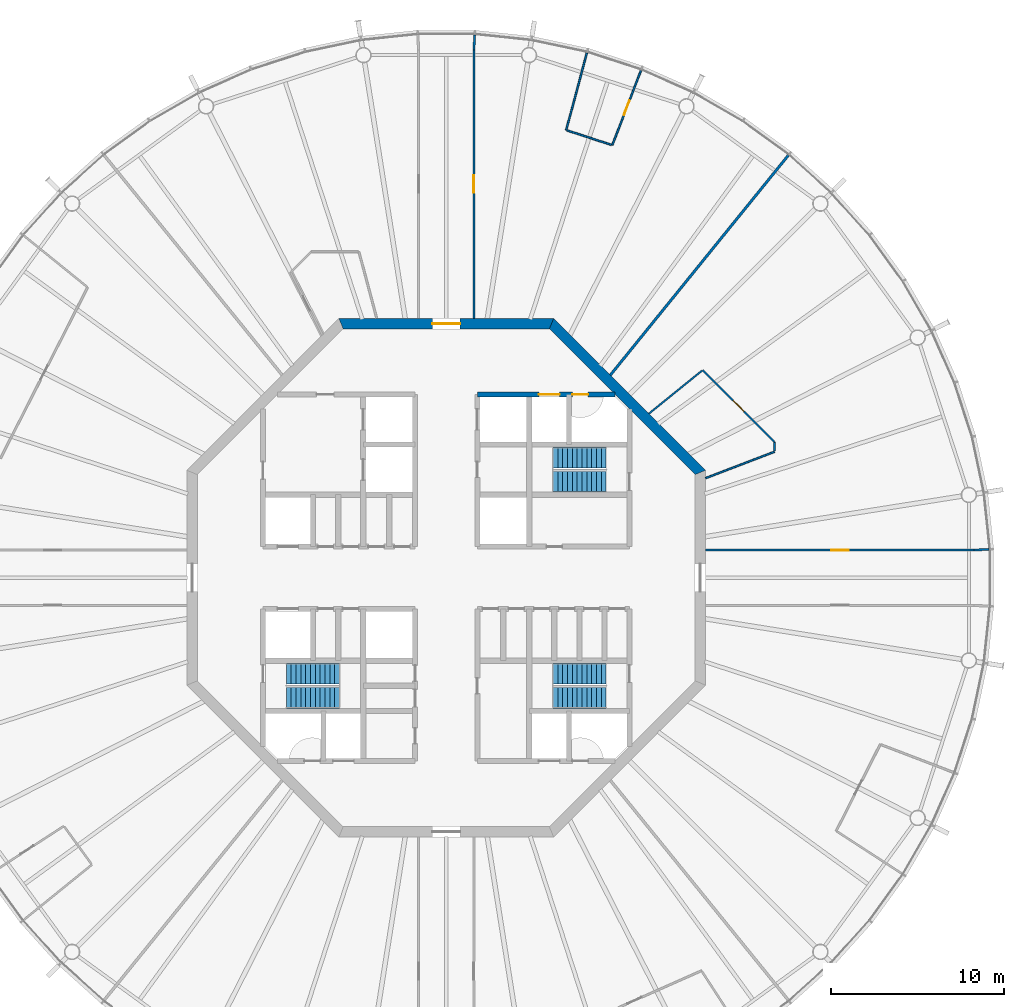
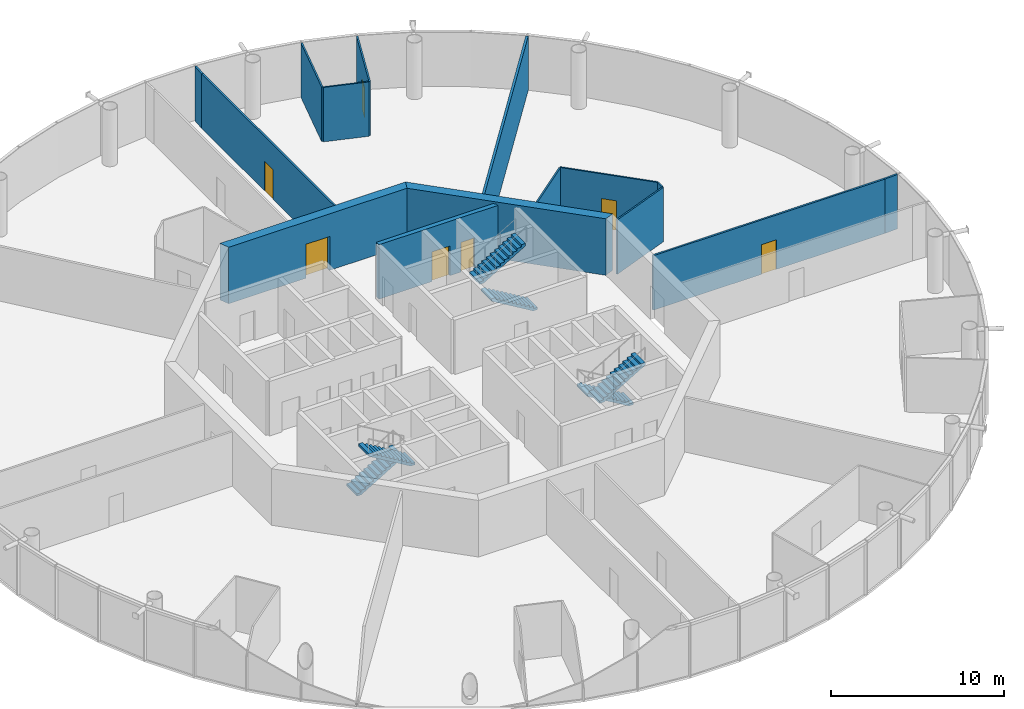
# One storey, part 6 of 18: 15 walls, 7 doors, 6 stair flights, 7 openings, 3 elements without a shape of their own.
"""IFC4 building model written with IfcOpenShell, lengths in metres."""

from ifc_helpers import new_model, si_unit, direction, frame, frame_2d, origin, place, context, subcontext, project, spatial, polyline, rectangle, outline, extrude, material, layer, layer_set, type_object, element, fill, aggregate, save


model = new_model("IFC4")

# Units and contexts
model_context = context("Model", 3, precision=1e-05, world=origin(), true_north=direction((0.0, 1.0)))
body_context = subcontext(model_context, "Body", "Model", "MODEL_VIEW")
ifc_project = project(units=[si_unit("LENGTHUNIT", "METRE"), si_unit("AREAUNIT", "SQUARE_METRE"), si_unit("VOLUMEUNIT", "CUBIC_METRE"), si_unit("PLANEANGLEUNIT", "RADIAN"), si_unit("MASSUNIT", "GRAM", prefix="KILO")], contexts=[model_context])

# Site, building, storey
site_placement = place(None, origin())
site = spatial("IfcSite", under=ifc_project, at=site_placement, CompositionType="ELEMENT")
building_placement = place(site_placement, origin())
building = spatial("IfcBuilding", under=site, at=building_placement, Name="Entoto Ring Tower", CompositionType="ELEMENT")
storey_placement = place(building_placement, frame((0.0, 0.0, 388.0)))
storey = spatial("IfcBuildingStorey", under=building, at=storey_placement, Name="L90", CompositionType="ELEMENT", Elevation=388.0)

# Wall, openings, doors
ifc_material_1 = material(Name="Concrete C40/50", Category="concrete")
ifc_layer_1 = layer(ifc_material_1, 0.300048828125)
ifc_layer_set_1 = layer_set([ifc_layer_1], Name="Concrete C40/50")
wall_type_1 = type_object("IfcWallType", Name="Core enclosure wall 300 mm reinforced concrete", PredefinedType="SOLIDWALL", material=ifc_layer_set_1)
wall_1_placement = place(storey_placement, frame((91.800048828125, 90.60009765625, 0.0), z_axis=(0.0, 0.0, 1.0), x_axis=(1.0, 0.0, 0.0)))
wall_1 = element("IfcWall", 1, at=wall_1_placement, inside=storey, type_object=wall_type_1, Name="wall-L90-041", PredefinedType="SOLIDWALL", context=body_context, shape_type="SweptSolid", body=[
    extrude(rectangle(XDim=7.964599609375, YDim=0.300048828125, at=frame_2d((3.982421875, 0.0))), origin(), (0.0, 0.0, 1.0), 3.85009765625),
])
opening_1_placement = place(wall_1_placement, frame((3.550048828125, 0.0, 0.0)))
opening_1 = element("IfcOpeningElement", 2, at=opening_1_placement, cuts=wall_1, Name="Opening LD", PredefinedType="OPENING", context=body_context, shape_type="SweptSolid", body=[
    extrude(rectangle(XDim=1.199951171875, YDim=2.10009765625, at=frame_2d((0.60009765625, 1.050048828125))), frame((0.0, 0.16015625, 0.0), z_axis=(0.0, -1.0, 0.0), x_axis=(1.0, 0.0, 0.0)), (0.0, 0.0, 1.0), 0.320068359375),
])
opening_2_placement = place(wall_1_placement, frame((5.5, 0.0, 0.0)))
opening_2 = element("IfcOpeningElement", 3, at=opening_2_placement, cuts=wall_1, Name="Opening K-32", PredefinedType="OPENING", context=body_context, shape_type="SweptSolid", body=[
    extrude(rectangle(XDim=0.89990234375, YDim=2.10009765625, at=frame_2d((0.449951171875, 1.050048828125))), frame((0.0, 0.16015625, 0.0), z_axis=(0.0, -1.0, 0.0), x_axis=(1.0, 0.0, 0.0)), (0.0, 0.0, 1.0), 0.320068359375),
])
ifc_material_2 = material(Name="Steel and glass door leaf", Category="steel")
ifc_layer_2 = layer(ifc_material_2, 0.050048828125)
ifc_layer_set_2 = layer_set([ifc_layer_2], Name="Steel and glass door leaf")
door_type_1 = type_object("IfcDoorType", Name="Landing door 1200 x 2100 sliding", OperationType="DOUBLE_DOOR_SLIDING", PredefinedType="DOOR", material=ifc_layer_set_2)
door_1_placement = place(opening_1_placement, origin())
door_1 = element("IfcDoor", 4, at=door_1_placement, inside=storey, type_object=door_type_1, Name="Landing door LB1-HR", OperationType="SLIDING_TO_RIGHT", OverallHeight=2.10009765625, OverallWidth=1.199951171875, PredefinedType="DOOR", context=body_context, shape_type="SweptSolid", body=[
    extrude(rectangle(XDim=1.199951171875, YDim=2.10009765625, at=frame_2d((0.60009765625, 1.050048828125))), frame((0.0, 0.02490234375, 0.0), z_axis=(0.0, -1.0, 0.0), x_axis=(1.0, 0.0, 0.0)), (0.0, 0.0, 1.0), 0.050048828125),
])
fill(opening_1, door_1)
ifc_material_3 = material(Name="Steel door leaf, fire rated", Category="steel")
ifc_layer_3 = layer(ifc_material_3, 0.050048828125)
ifc_layer_set_3 = layer_set([ifc_layer_3], Name="Steel door leaf, fire rated")
door_type_2 = type_object("IfcDoorType", Name="Riser door FD60 900 x 2100 single leaf", OperationType="NOTDEFINED", PredefinedType="DOOR", material=ifc_layer_set_3)
door_2_placement = place(opening_2_placement, frame((0.89990234375, 0.0, 0.0), z_axis=(0.0, 0.0, 1.0), x_axis=(-1.0, 0.0, 0.0)))
door_2 = element("IfcDoor", 5, at=door_2_placement, inside=storey, type_object=door_type_2, Name="Door K-32", OperationType="SINGLE_SWING_RIGHT", OverallHeight=2.10009765625, OverallWidth=0.89990234375, PredefinedType="DOOR", context=body_context, shape_type="SweptSolid", body=[
    extrude(rectangle(XDim=0.89990234375, YDim=2.10009765625, at=frame_2d((0.449951171875, 1.050048828125))), frame((0.0, 0.02490234375, 0.0), z_axis=(0.0, -1.0, 0.0), x_axis=(1.0, 0.0, 0.0)), (0.0, 0.0, 1.0), 0.050048828125),
])
fill(opening_2, door_2)

# Wall
ifc_material_4 = material(Name="Concrete C40/50", Category="concrete")
ifc_layer_4 = layer(ifc_material_4, 0.60009765625)
ifc_layer_set_4 = layer_set([ifc_layer_4], Name="Concrete C40/50")
wall_type_2 = type_object("IfcWallType", Name="Core shear wall 600 mm reinforced concrete C40/50", PredefinedType="SHEAR", material=ifc_layer_set_4)
wall_2_placement = place(storey_placement, frame((104.699951171875, 86.0888671875, 0.0), z_axis=(0.0, 0.0, 1.0), x_axis=(-0.707106781187, 0.707106781187, 0.0)))
element("IfcWall", 6, at=wall_2_placement, inside=storey, type_object=wall_type_2, Name="wall-L90-core-1", PredefinedType="SHEAR", context=body_context, shape_type="SweptSolid", body=[
    extrude(outline(polyline([(-0.124267578125, -0.300048828125), (12.30224609375, -0.300048828125), (12.0537109375, 0.300048828125), (0.124267578125, 0.300048828125), (-0.124267578125, -0.300048828125)])), origin(), (0.0, 0.0, 1.0), 4.0),
])

# Wall, opening, door
wall_3_placement = place(storey_placement, frame((96.0888671875, 94.699951171875, 0.0), z_axis=(0.0, 0.0, 1.0), x_axis=(-1.0, 0.0, 0.0)))
wall_3 = element("IfcWall", 7, at=wall_3_placement, inside=storey, type_object=wall_type_2, Name="wall-L90-core-2", PredefinedType="SHEAR", context=body_context, shape_type="SweptSolid", body=[
    extrude(outline(polyline([(-0.124267578125, -0.300048828125), (12.302001953125, -0.300048828125), (12.053466796875, 0.300048828125), (0.124267578125, 0.300048828125), (-0.124267578125, -0.300048828125)])), origin(), (0.0, 0.0, 1.0), 4.0),
])
opening_3_placement = place(wall_3_placement, frame((5.288818359375, 0.0, 0.0)))
opening_3 = element("IfcOpeningElement", 8, at=opening_3_placement, cuts=wall_3, Name="Opening K-02", PredefinedType="OPENING", context=body_context, shape_type="SweptSolid", body=[
    extrude(rectangle(XDim=1.60009765625, YDim=2.39990234375, at=frame_2d((0.800048828125, 1.199951171875))), frame((0.0, 0.31005859375, 0.0), z_axis=(0.0, -1.0, 0.0), x_axis=(1.0, 0.0, 0.0)), (0.0, 0.0, 1.0), 0.6201171875),
])
ifc_material_5 = material(Name="Steel door leaf, fire rated", Category="steel")
ifc_layer_5 = layer(ifc_material_5, 0.050048828125)
ifc_layer_set_5 = layer_set([ifc_layer_5], Name="Steel door leaf, fire rated")
door_type_3 = type_object("IfcDoorType", Name="Entrance door FD60 1600 x 2400 double leaf", OperationType="DOUBLE_DOOR_SINGLE_SWING", PredefinedType="DOOR", material=ifc_layer_set_5)
door_3_placement = place(opening_3_placement, origin())
door_3 = element("IfcDoor", 9, at=door_3_placement, inside=storey, type_object=door_type_3, Name="Entrance door K-02", OperationType="DOUBLE_DOOR_SINGLE_SWING", OverallHeight=2.39990234375, OverallWidth=1.60009765625, PredefinedType="DOOR", context=body_context, shape_type="SweptSolid", body=[
    extrude(rectangle(XDim=1.60009765625, YDim=2.39990234375, at=frame_2d((0.800048828125, 1.199951171875))), frame((0.0, 0.02490234375, 0.0), z_axis=(0.0, -1.0, 0.0), x_axis=(1.0, 0.0, 0.0)), (0.0, 0.0, 1.0), 0.050048828125),
])
fill(opening_3, door_3)

ifc_material_6 = material(Name="Fire-resisting plasterboard on steel studs", Category="steel")
ifc_layer_6 = layer(ifc_material_6, 0.125)
ifc_layer_set_6 = layer_set([ifc_layer_6], Name="Fire-resisting plasterboard on steel studs")
wall_type_3 = type_object("IfcWallType", Name="Corridor wall 125 mm one-hour plasterboard on steel studs", PredefinedType="PARTITIONING", material=ifc_layer_set_6)
wall_4_placement = place(storey_placement, frame((91.60009765625, 95.0, 0.0), z_axis=(0.0, 0.0, 1.0), x_axis=(0.0, 1.0, 0.0)))
wall_4 = element("IfcWall", 10, at=wall_4_placement, inside=storey, type_object=wall_type_3, Name="partition-L90-006", PredefinedType="PARTITIONING", context=body_context, shape_type="SweptSolid", body=[
    extrude(rectangle(XDim=15.52978515625, YDim=0.125, at=frame_2d((7.764892578125, 0.0))), origin(), (0.0, 0.0, 1.0), 3.85009765625),
])
opening_4_placement = place(wall_4_placement, frame((7.264892578125, 0.0, 0.0)))
opening_4 = element("IfcOpeningElement", 11, at=opening_4_placement, cuts=wall_4, Name="Opening A38-D03", PredefinedType="OPENING", context=body_context, shape_type="SweptSolid", body=[
    extrude(rectangle(XDim=1.0, YDim=2.10009765625, at=frame_2d((0.5, 1.050048828125))), frame((0.0, 0.072509765625, 0.0), z_axis=(0.0, -1.0, 0.0), x_axis=(1.0, 0.0, 0.0)), (0.0, 0.0, 1.0), 0.14501953125),
])
ifc_material_7 = material(Name="Fire-resisting timber door set", Category="wood")
door_type_4 = type_object("IfcDoorType", Name="Door 1000 x 2100 single leaf FD30S fire door", OperationType="NOTDEFINED", PredefinedType="DOOR", material=ifc_material_7)
door_4_placement = place(opening_4_placement, frame((1.0, 0.0, 0.0), z_axis=(0.0, 0.0, 1.0), x_axis=(-1.0, 0.0, 0.0)))
door_4 = element("IfcDoor", 12, at=door_4_placement, inside=storey, type_object=door_type_4, Name="Door A38-D03", OperationType="SINGLE_SWING_RIGHT", OverallHeight=2.10009765625, OverallWidth=1.0, PredefinedType="DOOR", context=body_context, shape_type="SweptSolid", body=[
    extrude(rectangle(XDim=1.0, YDim=2.10009765625, at=frame_2d((0.5, 1.050048828125))), frame((0.0, 0.02490234375, 0.0), z_axis=(0.0, -1.0, 0.0), x_axis=(1.0, 0.0, 0.0)), (0.0, 0.0, 1.0), 0.050048828125),
])
fill(opening_4, door_4)

wall_5_placement = place(storey_placement, frame((105.0, 81.60009765625, 0.0), z_axis=(0.0, 0.0, 1.0), x_axis=(1.0, 0.0, 0.0)))
wall_5 = element("IfcWall", 13, at=wall_5_placement, inside=storey, type_object=wall_type_3, Name="partition-L90-008", PredefinedType="PARTITIONING", context=body_context, shape_type="SweptSolid", body=[
    extrude(rectangle(XDim=15.52978515625, YDim=0.125, at=frame_2d((7.764892578125, 0.0))), origin(), (0.0, 0.0, 1.0), 3.85009765625),
])
opening_5_placement = place(wall_5_placement, frame((7.264892578125, 0.0, 0.0)))
opening_5 = element("IfcOpeningElement", 14, at=opening_5_placement, cuts=wall_5, Name="Opening A38-D01", PredefinedType="OPENING", context=body_context, shape_type="SweptSolid", body=[
    extrude(rectangle(XDim=1.0, YDim=2.10009765625, at=frame_2d((0.5, 1.050048828125))), frame((0.0, 0.072509765625, 0.0), z_axis=(0.0, -1.0, 0.0), x_axis=(1.0, 0.0, 0.0)), (0.0, 0.0, 1.0), 0.14501953125),
])
door_5_placement = place(opening_5_placement, origin())
door_5 = element("IfcDoor", 15, at=door_5_placement, inside=storey, type_object=door_type_4, Name="Door A38-D01", OperationType="SINGLE_SWING_LEFT", OverallHeight=2.10009765625, OverallWidth=1.0, PredefinedType="DOOR", context=body_context, shape_type="SweptSolid", body=[
    extrude(rectangle(XDim=1.0, YDim=2.10009765625, at=frame_2d((0.5, 1.050048828125))), frame((0.0, 0.02490234375, 0.0), z_axis=(0.0, -1.0, 0.0), x_axis=(1.0, 0.0, 0.0)), (0.0, 0.0, 1.0), 0.050048828125),
])
fill(opening_5, door_5)

# Walls
for number, where, z_axis, x_axis, name in (
    (16, (91.60009765625, 110.533203125, 0.0), (0.0, 0.0, 1.0), (0.052499574911, 0.998620946423, 0.0), "partition-L90-013"),
    (17, (120.533203125, 81.60009765625, 0.0), (0.0, 0.0, 1.0), (0.998620946423, 0.052499574911, 0.0), "partition-L90-015"),
):
    element("IfcWall", number, at=place(storey_placement, frame(where, z_axis=z_axis, x_axis=x_axis)), inside=storey, type_object=wall_type_3, Name=name, PredefinedType="PARTITIONING", context=body_context, shape_type="SweptSolid", body=[
        extrude(rectangle(XDim=0.864990234375, YDim=0.125, at=frame_2d((0.4326171875, 0.0))), origin(), (0.0, 0.0, 1.0), 3.85009765625),
    ])

# Wall, opening, door
ifc_material_8 = material(Name="Plasterboard on steel studs", Category="steel")
ifc_layer_7 = layer(ifc_material_8, 0.10009765625)
ifc_layer_set_7 = layer_set([ifc_layer_7], Name="Plasterboard on steel studs")
wall_type_4 = type_object("IfcWallType", Name="Partition 100 mm plasterboard on steel studs", PredefinedType="PARTITIONING", material=ifc_layer_set_7)
wall_6_placement = place(storey_placement, frame((108.97998046875, 87.86181640625, 0.0), z_axis=(0.0, 0.0, 1.0), x_axis=(-0.707106781187, 0.707106781187, 0.0)))
wall_6 = element("IfcWall", 18, at=wall_6_placement, inside=storey, type_object=wall_type_4, Name="partition-L90-023", PredefinedType="PARTITIONING", context=body_context, shape_type="SweptSolid", body=[
    extrude(rectangle(XDim=5.86669921875, YDim=0.10009765625, at=frame_2d((2.933349609375, 0.0))), origin(), (0.0, 0.0, 1.0), 3.85009765625),
])
opening_6_placement = place(wall_6_placement, frame((2.4833984375, 0.0, 0.0)))
opening_6 = element("IfcOpeningElement", 19, at=opening_6_placement, cuts=wall_6, Name="Opening A38-D02", PredefinedType="OPENING", context=body_context, shape_type="SweptSolid", body=[
    extrude(rectangle(XDim=0.89990234375, YDim=2.10009765625, at=frame_2d((0.449951171875, 1.050048828125))), frame((0.0, 0.06005859375, 0.0), z_axis=(0.0, -1.0, 0.0), x_axis=(1.0, 0.0, 0.0)), (0.0, 0.0, 1.0), 0.1201171875),
])
ifc_material_9 = material(Name="Veneered timber door leaf in timber frame", Category="wood")
door_type_5 = type_object("IfcDoorType", Name="Door 900 x 2100 single leaf timber veneer", OperationType="NOTDEFINED", PredefinedType="DOOR", material=ifc_material_9)
door_6_placement = place(opening_6_placement, origin())
door_6 = element("IfcDoor", 20, at=door_6_placement, inside=storey, type_object=door_type_5, Name="Door A38-D02", OperationType="SINGLE_SWING_RIGHT", OverallHeight=2.10009765625, OverallWidth=0.89990234375, PredefinedType="DOOR", context=body_context, shape_type="SweptSolid", body=[
    extrude(rectangle(XDim=0.89990234375, YDim=2.10009765625, at=frame_2d((0.449951171875, 1.050048828125))), frame((0.0, 0.02490234375, 0.0), z_axis=(0.0, -1.0, 0.0), x_axis=(1.0, 0.0, 0.0)), (0.0, 0.0, 1.0), 0.050048828125),
])
fill(opening_6, door_6)

wall_7_placement = place(storey_placement, frame((99.604248046875, 105.02001953125, 0.0), z_axis=(0.0, 0.0, 1.0), x_axis=(0.358372555023, 0.933578658607, 0.0)))
wall_7 = element("IfcWall", 21, at=wall_7_placement, inside=storey, type_object=wall_type_4, Name="partition-L90-029", PredefinedType="PARTITIONING", context=body_context, shape_type="SweptSolid", body=[
    extrude(rectangle(XDim=4.639892578125, YDim=0.10009765625, at=frame_2d((2.31982421875, 0.0))), origin(), (0.0, 0.0, 1.0), 3.85009765625),
])
opening_7_placement = place(wall_7_placement, frame((1.8701171875, 0.0, 0.0)))
opening_7 = element("IfcOpeningElement", 22, at=opening_7_placement, cuts=wall_7, Name="Opening A38-D04", PredefinedType="OPENING", context=body_context, shape_type="SweptSolid", body=[
    extrude(rectangle(XDim=0.89990234375, YDim=2.10009765625, at=frame_2d((0.449951171875, 1.050048828125))), frame((0.0, 0.06005859375, 0.0), z_axis=(0.0, -1.0, 0.0), x_axis=(1.0, 0.0, 0.0)), (0.0, 0.0, 1.0), 0.1201171875),
])
door_7_placement = place(opening_7_placement, origin())
door_7 = element("IfcDoor", 23, at=door_7_placement, inside=storey, type_object=door_type_5, Name="Door A38-D04", OperationType="SINGLE_SWING_RIGHT", OverallHeight=2.10009765625, OverallWidth=0.89990234375, PredefinedType="DOOR", context=body_context, shape_type="SweptSolid", body=[
    extrude(rectangle(XDim=0.89990234375, YDim=2.10009765625, at=frame_2d((0.449951171875, 1.050048828125))), frame((0.0, 0.02490234375, 0.0), z_axis=(0.0, -1.0, 0.0), x_axis=(1.0, 0.0, 0.0)), (0.0, 0.0, 1.0), 0.050048828125),
])
fill(opening_7, door_7)

# Walls
wall_8_placement = place(storey_placement, frame((96.936279296875, 105.88671875, 0.0), z_axis=(0.0, 0.0, 1.0), x_axis=(0.258818491613, 0.965925974596, 0.0)))
element("IfcWall", 24, at=wall_8_placement, inside=storey, type_object=wall_type_4, Name="partition-L90-030", PredefinedType="PARTITIONING", context=body_context, shape_type="SweptSolid", body=[
    extrude(rectangle(XDim=4.64013671875, YDim=0.10009765625, at=frame_2d((2.320068359375, 0.0))), origin(), (0.0, 0.0, 1.0), 3.85009765625),
])
wall_9_placement = place(storey_placement, frame((105.0, 85.758056640625, 0.0), z_axis=(0.0, 0.0, 1.0), x_axis=(0.933594824565, 0.358330439044, 0.0)))
element("IfcWall", 25, at=wall_9_placement, inside=storey, type_object=wall_type_4, Name="partition-L90-037", PredefinedType="PARTITIONING", context=body_context, shape_type="SweptSolid", body=[
    extrude(rectangle(XDim=4.26318359375, YDim=0.10009765625, at=frame_2d((2.131591796875, 0.0))), origin(), (0.0, 0.0, 1.0), 3.85009765625),
])
wall_10_placement = place(storey_placement, frame((101.721435546875, 89.49169921875, 0.0), z_axis=(0.0, 0.0, 1.0), x_axis=(0.77714272654, 0.629324385819, 0.0)))
element("IfcWall", 26, at=wall_10_placement, inside=storey, type_object=wall_type_4, Name="partition-L90-039", PredefinedType="PARTITIONING", context=body_context, shape_type="SweptSolid", body=[
    extrude(rectangle(XDim=3.952392578125, YDim=0.10009765625, at=frame_2d((1.97607421875, 0.0))), origin(), (0.0, 0.0, 1.0), 3.85009765625),
])
wall_11_placement = place(storey_placement, frame((99.556884765625, 105.035400390625, 0.0), z_axis=(0.0, 0.0, 1.0), x_axis=(-0.951065232996, 0.308990165839, 0.0)))
element("IfcWall", 27, at=wall_11_placement, inside=storey, type_object=wall_type_4, Name="partition-L90-042", PredefinedType="PARTITIONING", context=body_context, shape_type="SweptSolid", body=[
    extrude(rectangle(XDim=2.705322265625, YDim=0.10009765625, at=frame_2d((1.3525390625, 0.0))), origin(), (0.0, 0.0, 1.0), 3.85009765625),
])
wall_12_placement = place(storey_placement, frame((108.97998046875, 87.332275390625, 0.0), z_axis=(0.0, 0.0, 1.0), x_axis=(0.0, 1.0, 0.0)))
element("IfcWall", 28, at=wall_12_placement, inside=storey, type_object=wall_type_4, Name="partition-L90-046", PredefinedType="PARTITIONING", context=body_context, shape_type="SweptSolid", body=[
    extrude(rectangle(XDim=0.494384765625, YDim=0.10009765625, at=frame_2d((0.2470703125, 0.0))), origin(), (0.0, 0.0, 1.0), 3.85009765625),
])
ifc_material_10 = material(Name="Fire-resisting acoustic plasterboard on steel studs", Category="steel")
ifc_layer_8 = layer(ifc_material_10, 0.14990234375)
ifc_layer_set_8 = layer_set([ifc_layer_8], Name="Fire-resisting acoustic plasterboard on steel studs")
wall_type_5 = type_object("IfcWallType", Name="Party wall 150 mm one-hour acoustic plasterboard on steel studs", PredefinedType="PARTITIONING", material=ifc_layer_set_8)
wall_13_placement = place(storey_placement, frame((99.49169921875, 91.721435546875, 0.0), z_axis=(0.0, 0.0, 1.0), x_axis=(0.629323592667, 0.777143368827, 0.0)))
element("IfcWall", 29, at=wall_13_placement, inside=storey, type_object=wall_type_5, Name="partition-L90-019", PredefinedType="PARTITIONING", context=body_context, shape_type="SweptSolid", body=[
    extrude(rectangle(XDim=16.357666015625, YDim=0.14990234375, at=frame_2d((8.1787109375, 0.0))), origin(), (0.0, 0.0, 1.0), 3.85009765625),
])

# Stair, stair flights
ifc_material_11 = material(Name="Concrete C40/50", Category="concrete")
stair_type = type_object("IfcStairType", Name="Exit stair 1200 mm dog-leg reinforced concrete", PredefinedType="HALF_TURN_STAIR", material=ifc_material_11)
stair_1_placement = place(storey_placement, origin())
stair_1 = element("IfcStair", 30, at=stair_1_placement, inside=storey, type_object=stair_type, Name="Exit stair 1", PredefinedType="HALF_TURN_STAIR")
ifc_material_12 = material(Name="Concrete C40/50", Category="concrete")
stair_flight_type = type_object("IfcStairFlightType", Name="Stair flight 1200 mm reinforced concrete", PredefinedType="STRAIGHT", material=ifc_material_12)
stair_flight_1_placement = place(storey_placement, frame((99.25, 85.550048828125, 0.0), z_axis=(0.0, 0.0, 1.0), x_axis=(-1.0, 0.0, 0.0)))
stair_flight_1 = element("IfcStairFlight", 31, at=stair_flight_1_placement, type_object=stair_flight_type, Name="ST1 flight 1", NumberOfRisers=12, NumberOfTreads=11, PredefinedType="STRAIGHT", RiserHeight=0.166666667, TreadLength=0.28, context=body_context, shape_type="SweptSolid", body=[
    extrude(outline(polyline([(0.0, 0.0), (0.0, 0.166748046875), (0.280029296875, 0.166748046875), (0.280029296875, 0.333251953125), (0.56005859375, 0.333251953125), (0.56005859375, 0.5), (0.840087890625, 0.5), (0.840087890625, 0.666748046875), (1.1201171875, 0.666748046875), (1.1201171875, 0.833251953125), (1.39990234375, 0.833251953125), (1.39990234375, 1.0), (1.679931640625, 1.0), (1.679931640625, 1.166748046875), (1.9599609375, 1.166748046875), (1.9599609375, 1.333251953125), (2.239990234375, 1.333251953125), (2.239990234375, 1.5), (2.52001953125, 1.5), (2.52001953125, 1.666748046875), (2.800048828125, 1.666748046875), (2.800048828125, 1.833251953125), (3.080078125, 1.833251953125), (3.080078125, 2.0), (3.080078125, 1.658935546875), (0.29296875, 0.0), (0.0, 0.0)])), frame((0.0, 0.60009765625, 0.0), z_axis=(0.0, -1.0, 0.0), x_axis=(1.0, 0.0, 0.0)), (0.0, 0.0, 1.0), 1.199951171875),
])
stair_flight_2_placement = place(storey_placement, frame((96.169921875, 86.949951171875, 2.0), z_axis=(0.0, 0.0, 1.0), x_axis=(1.0, 0.0, 0.0)))
stair_flight_2 = element("IfcStairFlight", 32, at=stair_flight_2_placement, type_object=stair_flight_type, Name="ST1 flight 2", NumberOfRisers=12, NumberOfTreads=11, PredefinedType="STRAIGHT", RiserHeight=0.166666667, TreadLength=0.28, context=body_context, shape_type="SweptSolid", body=[
    extrude(outline(polyline([(0.0, 0.0), (0.0, 0.166748046875), (0.280029296875, 0.166748046875), (0.280029296875, 0.333251953125), (0.56005859375, 0.333251953125), (0.56005859375, 0.5), (0.840087890625, 0.5), (0.840087890625, 0.666748046875), (1.1201171875, 0.666748046875), (1.1201171875, 0.833251953125), (1.39990234375, 0.833251953125), (1.39990234375, 1.0), (1.679931640625, 1.0), (1.679931640625, 1.166748046875), (1.9599609375, 1.166748046875), (1.9599609375, 1.333251953125), (2.239990234375, 1.333251953125), (2.239990234375, 1.5), (2.52001953125, 1.5), (2.52001953125, 1.666748046875), (2.800048828125, 1.666748046875), (2.800048828125, 1.833251953125), (3.080078125, 1.833251953125), (3.080078125, 2.0), (3.080078125, 1.658935546875), (0.29296875, 0.0), (0.0, 0.0)])), frame((0.0, 0.60009765625, 0.0), z_axis=(0.0, -1.0, 0.0), x_axis=(1.0, 0.0, 0.0)), (0.0, 0.0, 1.0), 1.199951171875),
])
aggregate(stair_1, [stair_flight_1, stair_flight_2])

stair_2_placement = place(storey_placement, origin())
stair_2 = element("IfcStair", 33, at=stair_2_placement, inside=storey, type_object=stair_type, Name="Exit stair 2", PredefinedType="HALF_TURN_STAIR")
stair_flight_3_placement = place(storey_placement, frame((80.75, 74.449951171875, 0.0), z_axis=(0.0, 0.0, 1.0), x_axis=(1.0, 0.0, 0.0)))
stair_flight_3 = element("IfcStairFlight", 34, at=stair_flight_3_placement, type_object=stair_flight_type, Name="ST2 flight 1", NumberOfRisers=12, NumberOfTreads=11, PredefinedType="STRAIGHT", RiserHeight=0.166666667, TreadLength=0.28, context=body_context, shape_type="SweptSolid", body=[
    extrude(outline(polyline([(0.0, 0.0), (0.0, 0.166748046875), (0.280029296875, 0.166748046875), (0.280029296875, 0.333251953125), (0.56005859375, 0.333251953125), (0.56005859375, 0.5), (0.840087890625, 0.5), (0.840087890625, 0.666748046875), (1.1201171875, 0.666748046875), (1.1201171875, 0.833251953125), (1.39990234375, 0.833251953125), (1.39990234375, 1.0), (1.679931640625, 1.0), (1.679931640625, 1.166748046875), (1.9599609375, 1.166748046875), (1.9599609375, 1.333251953125), (2.239990234375, 1.333251953125), (2.239990234375, 1.5), (2.52001953125, 1.5), (2.52001953125, 1.666748046875), (2.800048828125, 1.666748046875), (2.800048828125, 1.833251953125), (3.080078125, 1.833251953125), (3.080078125, 2.0), (3.080078125, 1.658935546875), (0.29296875, 0.0), (0.0, 0.0)])), frame((0.0, 0.60009765625, 0.0), z_axis=(0.0, -1.0, 0.0), x_axis=(1.0, 0.0, 0.0)), (0.0, 0.0, 1.0), 1.199951171875),
])
stair_flight_4_placement = place(storey_placement, frame((83.830078125, 73.050048828125, 2.0), z_axis=(0.0, 0.0, 1.0), x_axis=(-1.0, 0.0, 0.0)))
stair_flight_4 = element("IfcStairFlight", 35, at=stair_flight_4_placement, type_object=stair_flight_type, Name="ST2 flight 2", NumberOfRisers=12, NumberOfTreads=11, PredefinedType="STRAIGHT", RiserHeight=0.166666667, TreadLength=0.28, context=body_context, shape_type="SweptSolid", body=[
    extrude(outline(polyline([(0.0, 0.0), (0.0, 0.166748046875), (0.280029296875, 0.166748046875), (0.280029296875, 0.333251953125), (0.56005859375, 0.333251953125), (0.56005859375, 0.5), (0.840087890625, 0.5), (0.840087890625, 0.666748046875), (1.1201171875, 0.666748046875), (1.1201171875, 0.833251953125), (1.39990234375, 0.833251953125), (1.39990234375, 1.0), (1.679931640625, 1.0), (1.679931640625, 1.166748046875), (1.9599609375, 1.166748046875), (1.9599609375, 1.333251953125), (2.239990234375, 1.333251953125), (2.239990234375, 1.5), (2.52001953125, 1.5), (2.52001953125, 1.666748046875), (2.800048828125, 1.666748046875), (2.800048828125, 1.833251953125), (3.080078125, 1.833251953125), (3.080078125, 2.0), (3.080078125, 1.658935546875), (0.29296875, 0.0), (0.0, 0.0)])), frame((0.0, 0.60009765625, 0.0), z_axis=(0.0, -1.0, 0.0), x_axis=(1.0, 0.0, 0.0)), (0.0, 0.0, 1.0), 1.199951171875),
])
aggregate(stair_2, [stair_flight_3, stair_flight_4])

stair_3_placement = place(storey_placement, origin())
stair_3 = element("IfcStair", 36, at=stair_3_placement, inside=storey, type_object=stair_type, Name="Exit stair 3", PredefinedType="HALF_TURN_STAIR")
stair_flight_5_placement = place(storey_placement, frame((99.25, 74.449951171875, 0.0), z_axis=(0.0, 0.0, 1.0), x_axis=(-1.0, 0.0, 0.0)))
stair_flight_5 = element("IfcStairFlight", 37, at=stair_flight_5_placement, type_object=stair_flight_type, Name="ST3 flight 1", NumberOfRisers=12, NumberOfTreads=11, PredefinedType="STRAIGHT", RiserHeight=0.166666667, TreadLength=0.28, context=body_context, shape_type="SweptSolid", body=[
    extrude(outline(polyline([(0.0, 0.0), (0.0, 0.166748046875), (0.280029296875, 0.166748046875), (0.280029296875, 0.333251953125), (0.56005859375, 0.333251953125), (0.56005859375, 0.5), (0.840087890625, 0.5), (0.840087890625, 0.666748046875), (1.1201171875, 0.666748046875), (1.1201171875, 0.833251953125), (1.39990234375, 0.833251953125), (1.39990234375, 1.0), (1.679931640625, 1.0), (1.679931640625, 1.166748046875), (1.9599609375, 1.166748046875), (1.9599609375, 1.333251953125), (2.239990234375, 1.333251953125), (2.239990234375, 1.5), (2.52001953125, 1.5), (2.52001953125, 1.666748046875), (2.800048828125, 1.666748046875), (2.800048828125, 1.833251953125), (3.080078125, 1.833251953125), (3.080078125, 2.0), (3.080078125, 1.658935546875), (0.29296875, 0.0), (0.0, 0.0)])), frame((0.0, 0.60009765625, 0.0), z_axis=(0.0, -1.0, 0.0), x_axis=(1.0, 0.0, 0.0)), (0.0, 0.0, 1.0), 1.199951171875),
])
stair_flight_6_placement = place(storey_placement, frame((96.169921875, 73.050048828125, 2.0), z_axis=(0.0, 0.0, 1.0), x_axis=(1.0, 0.0, 0.0)))
stair_flight_6 = element("IfcStairFlight", 38, at=stair_flight_6_placement, type_object=stair_flight_type, Name="ST3 flight 2", NumberOfRisers=12, NumberOfTreads=11, PredefinedType="STRAIGHT", RiserHeight=0.166666667, TreadLength=0.28, context=body_context, shape_type="SweptSolid", body=[
    extrude(outline(polyline([(0.0, 0.0), (0.0, 0.166748046875), (0.280029296875, 0.166748046875), (0.280029296875, 0.333251953125), (0.56005859375, 0.333251953125), (0.56005859375, 0.5), (0.840087890625, 0.5), (0.840087890625, 0.666748046875), (1.1201171875, 0.666748046875), (1.1201171875, 0.833251953125), (1.39990234375, 0.833251953125), (1.39990234375, 1.0), (1.679931640625, 1.0), (1.679931640625, 1.166748046875), (1.9599609375, 1.166748046875), (1.9599609375, 1.333251953125), (2.239990234375, 1.333251953125), (2.239990234375, 1.5), (2.52001953125, 1.5), (2.52001953125, 1.666748046875), (2.800048828125, 1.666748046875), (2.800048828125, 1.833251953125), (3.080078125, 1.833251953125), (3.080078125, 2.0), (3.080078125, 1.658935546875), (0.29296875, 0.0), (0.0, 0.0)])), frame((0.0, 0.60009765625, 0.0), z_axis=(0.0, -1.0, 0.0), x_axis=(1.0, 0.0, 0.0)), (0.0, 0.0, 1.0), 1.199951171875),
])
aggregate(stair_3, [stair_flight_5, stair_flight_6])

save(model, "model.ifc")
